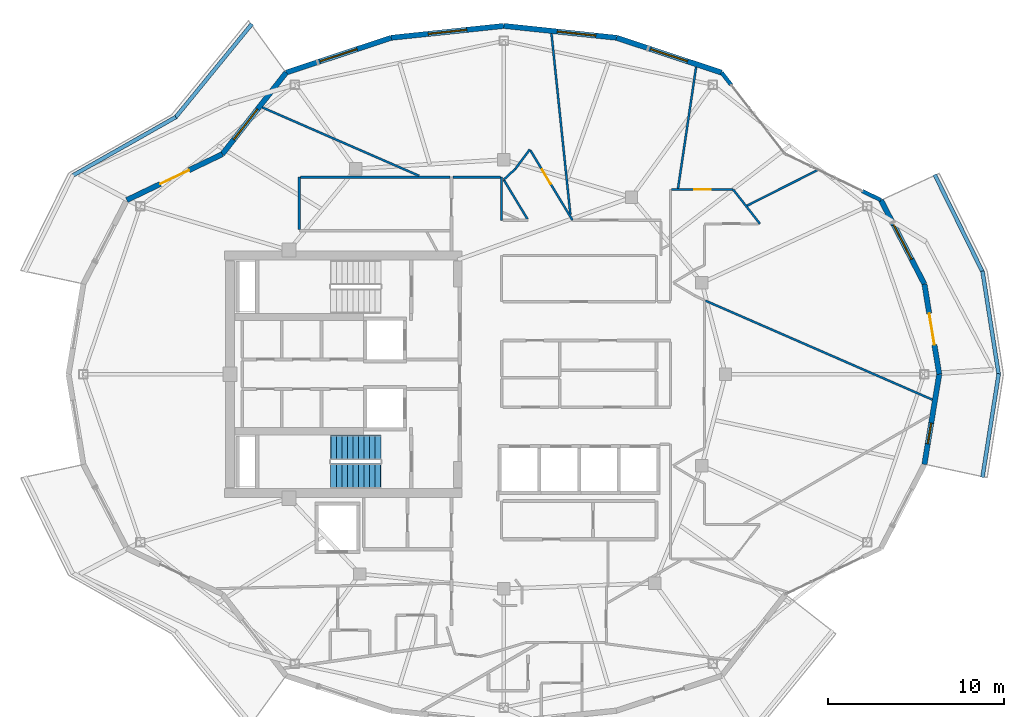
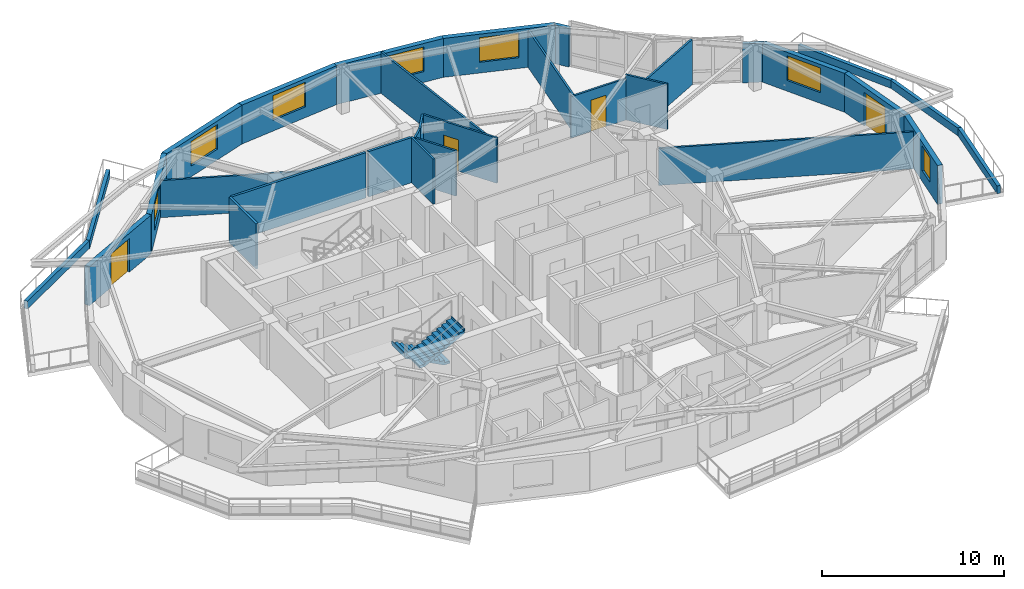
# One storey, part 10 of 14: 31 walls, 7 windows, 4 doors, 2 stair flights, 11 openings, 1 element without a shape of its own.
"""IFC4 building model written with IfcOpenShell, lengths in metres."""

from ifc_helpers import new_model, si_unit, direction, frame, frame_2d, origin, place, context, subcontext, project, spatial, polyline, rectangle, outline, extrude, material, layer, layer_set, type_object, element, fill, aggregate, save


model = new_model("IFC4")

# Units and contexts
model_context = context("Model", 3, precision=1e-05, world=origin(), true_north=direction((0.0, 1.0)))
body_context = subcontext(model_context, "Body", "Model", "MODEL_VIEW")
ifc_project = project(units=[si_unit("LENGTHUNIT", "METRE"), si_unit("AREAUNIT", "SQUARE_METRE"), si_unit("VOLUMEUNIT", "CUBIC_METRE"), si_unit("PLANEANGLEUNIT", "RADIAN"), si_unit("MASSUNIT", "GRAM", prefix="KILO")], contexts=[model_context])

# Site, building, storey
site_placement = place(None, origin())
site = spatial("IfcSite", under=ifc_project, at=site_placement, CompositionType="ELEMENT")
building_placement = place(site_placement, origin())
building = spatial("IfcBuilding", under=site, at=building_placement, Name="Kolvaren Gate Tower and Convention Centre", CompositionType="ELEMENT")
storey_placement = place(building_placement, frame((0.0, 0.0, 232.699951171875)))
storey = spatial("IfcBuildingStorey", under=building, at=storey_placement, Name="L62", CompositionType="ELEMENT", Elevation=232.699951171875)

# Walls
ifc_material_1 = material(Name="Fire-Rated Acoustic Gypsum Stud Partition", Category="gypsum")
ifc_layer_1 = layer(ifc_material_1, 0.1201171875)
ifc_layer_set_1 = layer_set([ifc_layer_1], Name="Fire-Rated Acoustic Gypsum Stud Partition")
wall_type_1 = type_object("IfcWallType", Name="ARCH-WL-PART-120", PredefinedType="PARTITIONING", material=ifc_layer_set_1)
wall_1_placement = place(storey_placement, frame((30.0, 35.75, 0.0), z_axis=(0.0, 0.0, 1.0), x_axis=(0.0, 1.0, 0.0)))
element("IfcWall", 1, at=wall_1_placement, inside=storey, type_object=wall_type_1, Name="Interior Partition WL-L62-INT-020", PredefinedType="PARTITIONING", context=body_context, shape_type="SweptSolid", body=[
    extrude(rectangle(XDim=2.449951171875, YDim=0.1201171875, at=frame_2d((1.22509765625, 0.0))), origin(), (0.0, 0.0, 1.0), 3.030029296875),
])
wall_2_placement = place(storey_placement, frame((30.114990234375, 38.05908203125, 0.0), z_axis=(0.0, 0.0, 1.0), x_axis=(0.516246227887, -0.85644020935, 0.0)))
element("IfcWall", 2, at=wall_2_placement, inside=storey, type_object=wall_type_1, Name="Interior Partition WL-L62-INT-038", PredefinedType="PARTITIONING", context=body_context, shape_type="SweptSolid", body=[
    extrude(rectangle(XDim=2.623779296875, YDim=0.1201171875, at=frame_2d((1.31201171875, 0.0))), origin(), (0.0, 0.0, 1.0), 3.030029296875),
])
wall_3_placement = place(storey_placement, frame((30.114990234375, 38.05908203125, 0.0), z_axis=(0.0, 0.0, 1.0), x_axis=(0.734991343239, 0.678076489316, 0.0)))
element("IfcWall", 3, at=wall_3_placement, inside=storey, type_object=wall_type_1, Name="Interior Partition WL-L62-INT-039", PredefinedType="PARTITIONING", context=body_context, shape_type="SweptSolid", body=[
    extrude(rectangle(XDim=0.896484375, YDim=0.1201171875, at=frame_2d((0.4482421875, 0.0))), origin(), (0.0, 0.0, 1.0), 3.030029296875),
])
wall_4_placement = place(storey_placement, frame((30.77392578125, 38.6669921875, 0.0), z_axis=(0.0, 0.0, 1.0), x_axis=(0.596019138224, 0.802970227885, 0.0)))
element("IfcWall", 4, at=wall_4_placement, inside=storey, type_object=wall_type_1, Name="Interior Partition WL-L62-INT-040", PredefinedType="PARTITIONING", context=body_context, shape_type="SweptSolid", body=[
    extrude(rectangle(XDim=1.38623046875, YDim=0.1201171875, at=frame_2d((0.693115234375, 0.0))), origin(), (0.0, 0.0, 1.0), 3.030029296875),
])

# Wall, opening, door
wall_5_placement = place(storey_placement, frame((31.634521484375, 39.72265625, 0.0), z_axis=(0.0, 0.0, 1.0), x_axis=(0.516340331217, -0.856383478565, 0.0)))
wall_5 = element("IfcWall", 5, at=wall_5_placement, inside=storey, type_object=wall_type_1, Name="Interior Partition WL-L62-INT-041", PredefinedType="PARTITIONING", context=body_context, shape_type="SweptSolid", body=[
    extrude(rectangle(XDim=4.62939453125, YDim=0.1201171875, at=frame_2d((2.314697265625, 0.0))), origin(), (0.0, 0.0, 1.0), 3.030029296875),
])
opening_1_placement = place(wall_5_placement, frame((1.27978515625, 0.0, 0.0)))
opening_1 = element("IfcOpeningElement", 6, at=opening_1_placement, cuts=wall_5, Name="Opening DR-01", PredefinedType="OPENING", context=body_context, shape_type="SweptSolid", body=[
    extrude(rectangle(XDim=0.949951171875, YDim=2.10009765625, at=frame_2d((0.47509765625, 1.050048828125))), frame((0.0, 0.070068359375, 0.0), z_axis=(0.0, -1.0, 0.0), x_axis=(1.0, 0.0, 0.0)), (0.0, 0.0, 1.0), 0.14013671875),
])
ifc_material_2 = material(Name="Painted Architectural Steelwork ASTM A500 Grade C 345 MPa", Category="steel")
door_type_1 = type_object("IfcDoorType", Name="ARCH-DR-RISER-950", OperationType="SINGLE_SWING_RIGHT", PredefinedType="DOOR", material=ifc_material_2)
door_1_placement = place(opening_1_placement, origin())
door_1 = element("IfcDoor", 7, at=door_1_placement, inside=storey, type_object=door_type_1, Name="Resident Private Study and Home Office Door", OperationType="SINGLE_SWING_LEFT", OverallHeight=2.10009765625, OverallWidth=0.949951171875, PredefinedType="DOOR", context=body_context, shape_type="SweptSolid", body=[
    extrude(rectangle(XDim=0.949951171875, YDim=2.10009765625, at=frame_2d((0.47509765625, 1.050048828125))), frame((0.0, 0.02490234375, 0.0), z_axis=(0.0, -1.0, 0.0), x_axis=(1.0, 0.0, 0.0)), (0.0, 0.0, 1.0), 0.050048828125),
])
fill(opening_1, door_1)

wall_6_placement = place(storey_placement, frame((39.662109375, 37.5, 0.0), z_axis=(0.0, 0.0, 1.0), x_axis=(1.0, 0.0, 0.0)))
wall_6 = element("IfcWall", 8, at=wall_6_placement, inside=storey, type_object=wall_type_1, Name="Interior Partition WL-L62-INT-046", PredefinedType="PARTITIONING", context=body_context, shape_type="SweptSolid", body=[
    extrude(rectangle(XDim=3.494873046875, YDim=0.1201171875, at=frame_2d((1.74755859375, 0.0))), origin(), (0.0, 0.0, 1.0), 2.77001953125),
])
opening_2_placement = place(wall_6_placement, frame((1.2724609375, 0.0, 0.0)))
opening_2 = element("IfcOpeningElement", 9, at=opening_2_placement, cuts=wall_6, Name="Opening DR-01", PredefinedType="OPENING", context=body_context, shape_type="SweptSolid", body=[
    extrude(rectangle(XDim=0.949951171875, YDim=2.10009765625, at=frame_2d((0.47509765625, 1.050048828125))), frame((0.0, 0.070068359375, 0.0), z_axis=(0.0, -1.0, 0.0), x_axis=(1.0, 0.0, 0.0)), (0.0, 0.0, 1.0), 0.14013671875),
])
door_2_placement = place(opening_2_placement, origin())
door_2 = element("IfcDoor", 10, at=door_2_placement, inside=storey, type_object=door_type_1, Name="Resident Reading Study Door", OperationType="SINGLE_SWING_LEFT", OverallHeight=2.10009765625, OverallWidth=0.949951171875, PredefinedType="DOOR", context=body_context, shape_type="SweptSolid", body=[
    extrude(rectangle(XDim=0.949951171875, YDim=2.10009765625, at=frame_2d((0.47509765625, 1.050048828125))), frame((0.0, 0.02490234375, 0.0), z_axis=(0.0, -1.0, 0.0), x_axis=(1.0, 0.0, 0.0)), (0.0, 0.0, 1.0), 0.050048828125),
])
fill(opening_2, door_2)

# Walls
wall_7_placement = place(storey_placement, frame((43.156982421875, 37.5, 0.0), z_axis=(0.0, 0.0, 1.0), x_axis=(0.616571357052, -0.78729902938, 0.0)))
element("IfcWall", 11, at=wall_7_placement, inside=storey, type_object=wall_type_1, Name="Interior Partition WL-L62-INT-047", PredefinedType="PARTITIONING", context=body_context, shape_type="SweptSolid", body=[
    extrude(rectangle(XDim=2.476806640625, YDim=0.1201171875, at=frame_2d((1.23828125, 0.0))), origin(), (0.0, 0.0, 1.0), 3.030029296875),
])
wall_8_placement = place(storey_placement, frame((16.391845703125, 42.165771484375, 0.0), z_axis=(0.0, 0.0, 1.0), x_axis=(0.916624998673, -0.399748185496, 0.0)))
element("IfcWall", 12, at=wall_8_placement, inside=storey, type_object=wall_type_1, Name="Interior Partition WL-L62-INT-095", PredefinedType="PARTITIONING", context=body_context, shape_type="SweptSolid", body=[
    extrude(rectangle(XDim=9.727783203125, YDim=0.1201171875, at=frame_2d((4.86376953125, 0.0))), origin(), (0.0, 0.0, 1.0), 2.47802734375),
])
wall_9_placement = place(storey_placement, frame((41.58203125, 31.179931640625, 0.0), z_axis=(0.0, 0.0, 1.0), x_axis=(0.916624100851, -0.399750244202, 0.0)))
element("IfcWall", 13, at=wall_9_placement, inside=storey, type_object=wall_type_1, Name="Interior Partition WL-L62-INT-097", PredefinedType="PARTITIONING", context=body_context, shape_type="SweptSolid", body=[
    extrude(rectangle(XDim=14.07421875, YDim=0.1201171875, at=frame_2d((7.037109375, 0.0))), origin(), (0.0, 0.0, 1.0), 2.47802734375),
])
wall_10_placement = place(storey_placement, frame((43.9541015625, 36.58251953125, 0.0), z_axis=(0.0, 0.0, 1.0), x_axis=(0.892601830049, 0.450845841716, 0.0)))
element("IfcWall", 14, at=wall_10_placement, inside=storey, type_object=wall_type_1, Name="Interior Partition WL-L62-INT-099", PredefinedType="PARTITIONING", context=body_context, shape_type="SweptSolid", body=[
    extrude(rectangle(XDim=4.4853515625, YDim=0.1201171875, at=frame_2d((2.24267578125, 0.0))), origin(), (0.0, 0.0, 1.0), 3.030029296875),
])
wall_11_placement = place(storey_placement, frame((40.026123046875, 37.56201171875, 0.0), z_axis=(0.0, 0.0, 1.0), x_axis=(0.147138038827, 0.989115967685, 0.0)))
element("IfcWall", 15, at=wall_11_placement, inside=storey, type_object=wall_type_1, Name="Interior Partition WL-L62-INT-100", PredefinedType="PARTITIONING", context=body_context, shape_type="SweptSolid", body=[
    extrude(rectangle(XDim=6.98046875, YDim=0.1201171875, at=frame_2d((3.490234375, 0.0))), origin(), (0.0, 0.0, 1.0), 2.47802734375),
])
wall_12_placement = place(storey_placement, frame((32.83154296875, 46.362060546875, 0.0), z_axis=(0.0, 0.0, 1.0), x_axis=(0.103942686354, -0.994583288595, 0.0)))
element("IfcWall", 16, at=wall_12_placement, inside=storey, type_object=wall_type_1, Name="Interior Partition WL-L62-INT-101", PredefinedType="PARTITIONING", context=body_context, shape_type="SweptSolid", body=[
    extrude(rectangle(XDim=10.34423828125, YDim=0.1201171875, at=frame_2d((5.172119140625, 0.0))), origin(), (0.0, 0.0, 1.0), 2.77001953125),
])
ifc_material_3 = material(Name="Bogota Sabana Bush-Hammered Sandstone Cladding", Category="masonry")
ifc_layer_2 = layer(ifc_material_3, 0.219970703125)
ifc_layer_set_2 = layer_set([ifc_layer_2], Name="Bogota Sabana Bush-Hammered Sandstone Cladding")
wall_type_2 = type_object("IfcWallType", Name="ARCH-WL-PIER-220", PredefinedType="SOLIDWALL", material=ifc_layer_set_2)
wall_13_placement = place(storey_placement, frame((50.494140625, 37.41162109375, 0.0), z_axis=(0.0, 0.0, 1.0), x_axis=(0.901342408365, -0.433107218692, 0.0)))
element("IfcWall", 17, at=wall_13_placement, inside=storey, type_object=wall_type_2, Name="Tower L62 Unitised Curtain Wall CW-RES-UNIT Bay 02 Right Column Pier Wrap", PredefinedType="SOLIDWALL", context=body_context, shape_type="SweptSolid", body=[
    extrude(rectangle(XDim=1.181396484375, YDim=0.219970703125, at=frame_2d((0.5908203125, 0.0))), origin(), (0.0, 0.0, 1.0), 2.60498046875),
])
wall_14_placement = place(storey_placement, frame((42.5, 44.147216796875, 0.0), z_axis=(0.0, 0.0, 1.0), x_axis=(0.61650363284, -0.787352062736, 0.0)))
element("IfcWall", 18, at=wall_14_placement, inside=storey, type_object=wall_type_2, Name="Tower L62 Unitised Curtain Wall CW-RES-UNIT Bay 03 Left Column Pier Wrap", PredefinedType="SOLIDWALL", context=body_context, shape_type="SweptSolid", body=[
    extrude(rectangle(XDim=0.8759765625, YDim=0.219970703125, at=frame_2d((0.43798828125, 0.0))), origin(), (0.0, 0.0, 1.0), 2.60498046875),
])
ifc_material_4 = material(Name="Piedmont Cream Honed Limestone Cladding", Category="masonry")
ifc_layer_3 = layer(ifc_material_4, 0.219970703125)
ifc_layer_set_3 = layer_set([ifc_layer_3], Name="Piedmont Cream Honed Limestone Cladding")
wall_type_3 = type_object("IfcWallType", Name="ARCH-WL-PLANTER-220", PredefinedType="PARAPET", material=ifc_layer_set_3)
wall_15_placement = place(storey_placement, frame((11.42724609375, 41.55859375, 0.0), z_axis=(0.0, 0.0, 1.0), x_axis=(0.632697312147, 0.774399193699, 0.0)))
element("IfcWall", 19, at=wall_15_placement, inside=storey, type_object=wall_type_3, Name="Vertical-Forest Balcony Stone Planter Kerb PK-L62-1.1", PredefinedType="PARAPET", context=body_context, shape_type="SweptSolid", body=[
    extrude(rectangle(XDim=6.9140625, YDim=0.219970703125, at=frame_2d((3.45703125, 0.0))), origin(), (0.0, 0.0, 1.0), 0.52001953125),
])
wall_16_placement = place(storey_placement, frame((5.6083984375, 38.29052734375, 0.0), z_axis=(0.0, 0.0, 1.0), x_axis=(0.869860619267, 0.493297580623, 0.0)))
element("IfcWall", 20, at=wall_16_placement, inside=storey, type_object=wall_type_3, Name="Vertical-Forest Balcony Stone Planter Kerb PK-L62-1.2", PredefinedType="PARAPET", context=body_context, shape_type="SweptSolid", body=[
    extrude(rectangle(XDim=6.74267578125, YDim=0.219970703125, at=frame_2d((3.371337890625, 0.0))), origin(), (0.0, 0.0, 1.0), 0.52001953125),
])
for number, where, z_axis, x_axis, name in (
    (21, (57.331787109375, 21.1376953125, 0.0), (0.0, 0.0, 1.0), (0.1550711793, 0.987903299595, 0.0), "Vertical-Forest Balcony Stone Planter Kerb PK-L62-4.1"),
    (22, (57.331787109375, 32.8623046875, 0.0), (0.0, 0.0, 1.0), (0.1550711793, -0.987903299595, 0.0), "Vertical-Forest Balcony Stone Planter Kerb PK-L62-4.2"),
):
    element("IfcWall", number, at=place(storey_placement, frame(where, z_axis=z_axis, x_axis=x_axis)), inside=storey, type_object=wall_type_3, Name=name, PredefinedType="PARAPET", context=body_context, shape_type="SweptSolid", body=[
        extrude(rectangle(XDim=5.963623046875, YDim=0.219970703125, at=frame_2d((2.98193359375, 0.0))), origin(), (0.0, 0.0, 1.0), 0.52001953125),
    ])
wall_17_placement = place(storey_placement, frame((54.615966796875, 38.3466796875, 0.0), z_axis=(0.0, 0.0, 1.0), x_axis=(0.441640961804, -0.897191875162, 0.0)))
element("IfcWall", 23, at=wall_17_placement, inside=storey, type_object=wall_type_3, Name="Vertical-Forest Balcony Stone Planter Kerb PK-L62-4.3", PredefinedType="PARAPET", context=body_context, shape_type="SweptSolid", body=[
    extrude(rectangle(XDim=6.17822265625, YDim=0.219970703125, at=frame_2d((3.089111328125, 0.0))), origin(), (0.0, 0.0, 1.0), 0.52001953125),
])

# Wall, opening, door
ifc_layer_4 = layer(ifc_material_4, 0.300048828125)
ifc_layer_set_4 = layer_set([ifc_layer_4], Name="Piedmont Cream Honed Limestone Cladding")
wall_type_4 = type_object("IfcWallType", Name="ARCH-WL-STONE-300", PredefinedType="SOLIDWALL", material=ifc_layer_set_4)
wall_18_placement = place(storey_placement, frame((54.03173828125, 32.12451171875, 0.0), z_axis=(0.0, 0.0, 1.0), x_axis=(0.16237087798, -0.986729799886, 0.0)))
wall_18 = element("IfcWall", 24, at=wall_18_placement, inside=storey, type_object=wall_type_4, Name="Tower L62 Honed Stone Spandrel Wall EW-00", PredefinedType="SOLIDWALL", context=body_context, shape_type="SweptSolid", body=[
    extrude(rectangle(XDim=5.193359375, YDim=0.300048828125, at=frame_2d((2.5966796875, 0.0))), origin(), (0.0, 0.0, 1.0), 2.60498046875),
])
opening_3_placement = place(wall_18_placement, frame((1.697021484375, 0.0, 0.0)))
opening_3 = element("IfcOpeningElement", 25, at=opening_3_placement, cuts=wall_18, Name="Opening DB-01", PredefinedType="OPENING", context=body_context, shape_type="SweptSolid", body=[
    extrude(rectangle(XDim=1.800048828125, YDim=2.25, at=frame_2d((0.89990234375, 1.125))), frame((0.0, 0.159912109375, 0.0), z_axis=(0.0, -1.0, 0.0), x_axis=(1.0, 0.0, 0.0)), (0.0, 0.0, 1.0), 0.320068359375),
])
ifc_material_5 = material(Name="Anodized Architectural Aluminium Alloy 6063-T6", Category="aluminium")
door_type_2 = type_object("IfcDoorType", Name="ARCH-DR-BALC-1800", OperationType="SLIDING_TO_LEFT", PredefinedType="DOOR", material=ifc_material_5)
door_3_placement = place(opening_3_placement, origin())
door_3 = element("IfcDoor", 26, at=door_3_placement, inside=storey, type_object=door_type_2, Name="Planted Sky Terrace Access Door DB-L62-00", OperationType="SLIDING_TO_LEFT", OverallHeight=2.25, OverallWidth=1.800048828125, PredefinedType="DOOR", context=body_context, shape_type="SweptSolid", body=[
    extrude(rectangle(XDim=1.800048828125, YDim=2.25, at=frame_2d((0.89990234375, 1.125))), frame((0.0, 0.02490234375, 0.0), z_axis=(0.0, -1.0, 0.0), x_axis=(1.0, 0.0, 0.0)), (0.0, 0.0, 1.0), 0.050048828125),
])
fill(opening_3, door_3)

# Wall, opening, window
wall_19_placement = place(storey_placement, frame((51.55908203125, 36.89990234375, 0.0), z_axis=(0.0, 0.0, 1.0), x_axis=(0.459808219482, -0.888018243786, 0.0)))
wall_19 = element("IfcWall", 27, at=wall_19_placement, inside=storey, type_object=wall_type_4, Name="Tower L62 Honed Stone Spandrel Wall EW-01", PredefinedType="SOLIDWALL", context=body_context, shape_type="SweptSolid", body=[
    extrude(rectangle(XDim=5.377685546875, YDim=0.300048828125, at=frame_2d((2.68896484375, 0.0))), origin(), (0.0, 0.0, 1.0), 2.60498046875),
])
opening_4_placement = place(wall_19_placement, frame((1.589111328125, 0.0, 0.719970703125)))
opening_4 = element("IfcOpeningElement", 28, at=opening_4_placement, cuts=wall_19, Name="Opening W-03", PredefinedType="OPENING", context=body_context, shape_type="SweptSolid", body=[
    extrude(rectangle(XDim=2.199951171875, YDim=1.64990234375, at=frame_2d((1.10009765625, 0.824951171875))), frame((0.0, 0.159912109375, 0.0), z_axis=(0.0, -1.0, 0.0), x_axis=(1.0, 0.0, 0.0)), (0.0, 0.0, 1.0), 0.320068359375),
])
ifc_material_6 = material(Name="Low-E Triple Insulated Glazing Unit 44 mm", Category="glass")
window_type_1 = type_object("IfcWindowType", Name="ARCH-WN-RES-2200", PartitioningType="SINGLE_PANEL", PredefinedType="WINDOW", material=ifc_material_6)
window_1_placement = place(opening_4_placement, origin())
window_1 = element("IfcWindow", 29, at=window_1_placement, inside=storey, type_object=window_type_1, Name="Tower L62 Punched Stone Facade Window W-01", OverallHeight=1.64990234375, OverallWidth=2.199951171875, PartitioningType="SINGLE_PANEL", PredefinedType="WINDOW", context=body_context, shape_type="SweptSolid", body=[
    extrude(rectangle(XDim=2.199951171875, YDim=1.64990234375, at=frame_2d((1.10009765625, 0.824951171875))), frame((0.0, 0.030029296875, 0.0), z_axis=(0.0, -1.0, 0.0), x_axis=(1.0, 0.0, 0.0)), (0.0, 0.0, 1.0), 0.06005859375),
])
fill(opening_4, window_1)

wall_20_placement = place(storey_placement, frame((36.53076171875, 46.125244140625, 0.0), z_axis=(0.0, 0.0, 1.0), x_axis=(0.949240877604, -0.314550085495, 0.0)))
wall_20 = element("IfcWall", 30, at=wall_20_placement, inside=storey, type_object=wall_type_4, Name="Tower L62 Honed Stone Spandrel Wall EW-04", PredefinedType="SOLIDWALL", context=body_context, shape_type="SweptSolid", body=[
    extrude(rectangle(XDim=6.288330078125, YDim=0.300048828125, at=frame_2d((3.14404296875, 0.0))), origin(), (0.0, 0.0, 1.0), 2.60498046875),
])
opening_5_placement = place(wall_20_placement, frame((2.0439453125, 0.0, 0.719970703125)))
opening_5 = element("IfcOpeningElement", 31, at=opening_5_placement, cuts=wall_20, Name="Opening W-03", PredefinedType="OPENING", context=body_context, shape_type="SweptSolid", body=[
    extrude(rectangle(XDim=2.199951171875, YDim=1.64990234375, at=frame_2d((1.10009765625, 0.824951171875))), frame((0.0, 0.159912109375, 0.0), z_axis=(0.0, -1.0, 0.0), x_axis=(1.0, 0.0, 0.0)), (0.0, 0.0, 1.0), 0.320068359375),
])
window_2_placement = place(opening_5_placement, origin())
window_2 = element("IfcWindow", 32, at=window_2_placement, inside=storey, type_object=window_type_1, Name="Tower L62 Punched Stone Facade Window W-04", OverallHeight=1.64990234375, OverallWidth=2.199951171875, PartitioningType="SINGLE_PANEL", PredefinedType="WINDOW", context=body_context, shape_type="SweptSolid", body=[
    extrude(rectangle(XDim=2.199951171875, YDim=1.64990234375, at=frame_2d((1.10009765625, 0.824951171875))), frame((0.0, 0.030029296875, 0.0), z_axis=(0.0, -1.0, 0.0), x_axis=(1.0, 0.0, 0.0)), (0.0, 0.0, 1.0), 0.06005859375),
])
fill(opening_5, window_2)

wall_21_placement = place(storey_placement, frame((30.125, 46.800048828125, 0.0), z_axis=(0.0, 0.0, 1.0), x_axis=(0.994497142298, -0.104763705363, 0.0)))
wall_21 = element("IfcWall", 33, at=wall_21_placement, inside=storey, type_object=wall_type_4, Name="Tower L62 Honed Stone Spandrel Wall EW-05", PredefinedType="SOLIDWALL", context=body_context, shape_type="SweptSolid", body=[
    extrude(rectangle(XDim=6.441162109375, YDim=0.300048828125, at=frame_2d((3.220703125, 0.0))), origin(), (0.0, 0.0, 1.0), 2.60498046875),
])
opening_6_placement = place(wall_21_placement, frame((3.050048828125, 0.0, 0.719970703125)))
opening_6 = element("IfcOpeningElement", 34, at=opening_6_placement, cuts=wall_21, Name="Opening W-03", PredefinedType="OPENING", context=body_context, shape_type="SweptSolid", body=[
    extrude(rectangle(XDim=2.199951171875, YDim=1.64990234375, at=frame_2d((1.10009765625, 0.824951171875))), frame((0.0, 0.159912109375, 0.0), z_axis=(0.0, -1.0, 0.0), x_axis=(1.0, 0.0, 0.0)), (0.0, 0.0, 1.0), 0.320068359375),
])
window_3_placement = place(opening_6_placement, origin())
window_3 = element("IfcWindow", 35, at=window_3_placement, inside=storey, type_object=window_type_1, Name="Tower L62 Punched Stone Facade Window W-05", OverallHeight=1.64990234375, OverallWidth=2.199951171875, PartitioningType="SINGLE_PANEL", PredefinedType="WINDOW", context=body_context, shape_type="SweptSolid", body=[
    extrude(rectangle(XDim=2.199951171875, YDim=1.64990234375, at=frame_2d((1.10009765625, 0.824951171875))), frame((0.0, 0.030029296875, 0.0), z_axis=(0.0, -1.0, 0.0), x_axis=(1.0, 0.0, 0.0)), (0.0, 0.0, 1.0), 0.06005859375),
])
fill(opening_6, window_3)

wall_22_placement = place(storey_placement, frame((23.71923828125, 46.125244140625, 0.0), z_axis=(0.0, 0.0, 1.0), x_axis=(0.994497142298, 0.104763705363, 0.0)))
wall_22 = element("IfcWall", 36, at=wall_22_placement, inside=storey, type_object=wall_type_4, Name="Tower L62 Honed Stone Spandrel Wall EW-06", PredefinedType="SOLIDWALL", context=body_context, shape_type="SweptSolid", body=[
    extrude(rectangle(XDim=6.441162109375, YDim=0.300048828125, at=frame_2d((3.220703125, 0.0))), origin(), (0.0, 0.0, 1.0), 2.60498046875),
])
opening_7_placement = place(wall_22_placement, frame((2.12109375, 0.0, 0.719970703125)))
opening_7 = element("IfcOpeningElement", 37, at=opening_7_placement, cuts=wall_22, Name="Opening W-03", PredefinedType="OPENING", context=body_context, shape_type="SweptSolid", body=[
    extrude(rectangle(XDim=2.199951171875, YDim=1.64990234375, at=frame_2d((1.10009765625, 0.824951171875))), frame((0.0, 0.159912109375, 0.0), z_axis=(0.0, -1.0, 0.0), x_axis=(1.0, 0.0, 0.0)), (0.0, 0.0, 1.0), 0.320068359375),
])
window_4_placement = place(opening_7_placement, origin())
window_4 = element("IfcWindow", 38, at=window_4_placement, inside=storey, type_object=window_type_1, Name="Tower L62 Punched Stone Facade Window W-06", OverallHeight=1.64990234375, OverallWidth=2.199951171875, PartitioningType="SINGLE_PANEL", PredefinedType="WINDOW", context=body_context, shape_type="SweptSolid", body=[
    extrude(rectangle(XDim=2.199951171875, YDim=1.64990234375, at=frame_2d((1.10009765625, 0.824951171875))), frame((0.0, 0.030029296875, 0.0), z_axis=(0.0, -1.0, 0.0), x_axis=(1.0, 0.0, 0.0)), (0.0, 0.0, 1.0), 0.06005859375),
])
fill(opening_7, window_4)

wall_23_placement = place(storey_placement, frame((17.75, 44.147216796875, 0.0), z_axis=(0.0, 0.0, 1.0), x_axis=(0.949240877604, 0.314550085495, 0.0)))
wall_23 = element("IfcWall", 39, at=wall_23_placement, inside=storey, type_object=wall_type_4, Name="Tower L62 Honed Stone Spandrel Wall EW-07", PredefinedType="SOLIDWALL", context=body_context, shape_type="SweptSolid", body=[
    extrude(rectangle(XDim=6.288330078125, YDim=0.300048828125, at=frame_2d((3.14404296875, 0.0))), origin(), (0.0, 0.0, 1.0), 2.60498046875),
])
opening_8_placement = place(wall_23_placement, frame((2.0439453125, 0.0, 0.719970703125)))
opening_8 = element("IfcOpeningElement", 40, at=opening_8_placement, cuts=wall_23, Name="Opening W-03", PredefinedType="OPENING", context=body_context, shape_type="SweptSolid", body=[
    extrude(rectangle(XDim=2.199951171875, YDim=1.64990234375, at=frame_2d((1.10009765625, 0.824951171875))), frame((0.0, 0.159912109375, 0.0), z_axis=(0.0, -1.0, 0.0), x_axis=(1.0, 0.0, 0.0)), (0.0, 0.0, 1.0), 0.320068359375),
])
window_5_placement = place(opening_8_placement, origin())
window_5 = element("IfcWindow", 41, at=window_5_placement, inside=storey, type_object=window_type_1, Name="Tower L62 Punched Stone Facade Window W-07", OverallHeight=1.64990234375, OverallWidth=2.199951171875, PartitioningType="SINGLE_PANEL", PredefinedType="WINDOW", context=body_context, shape_type="SweptSolid", body=[
    extrude(rectangle(XDim=2.199951171875, YDim=1.64990234375, at=frame_2d((1.10009765625, 0.824951171875))), frame((0.0, 0.030029296875, 0.0), z_axis=(0.0, -1.0, 0.0), x_axis=(1.0, 0.0, 0.0)), (0.0, 0.0, 1.0), 0.06005859375),
])
fill(opening_8, window_5)

wall_24_placement = place(storey_placement, frame((14.117431640625, 39.50732421875, 0.0), z_axis=(0.0, 0.0, 1.0), x_axis=(0.616450126935, 0.787393955401, 0.0)))
wall_24 = element("IfcWall", 42, at=wall_24_placement, inside=storey, type_object=wall_type_4, Name="Tower L62 Honed Stone Spandrel Wall EW-08", PredefinedType="SOLIDWALL", context=body_context, shape_type="SweptSolid", body=[
    extrude(rectangle(XDim=5.892822265625, YDim=0.300048828125, at=frame_2d((2.9462890625, 0.0))), origin(), (0.0, 0.0, 1.0), 2.60498046875),
])
opening_9_placement = place(wall_24_placement, frame((1.050048828125, 0.0, 0.719970703125)))
opening_9 = element("IfcOpeningElement", 43, at=opening_9_placement, cuts=wall_24, Name="Opening W-03", PredefinedType="OPENING", context=body_context, shape_type="SweptSolid", body=[
    extrude(rectangle(XDim=2.199951171875, YDim=1.64990234375, at=frame_2d((1.10009765625, 0.824951171875))), frame((0.0, 0.159912109375, 0.0), z_axis=(0.0, -1.0, 0.0), x_axis=(1.0, 0.0, 0.0)), (0.0, 0.0, 1.0), 0.320068359375),
])
window_6_placement = place(opening_9_placement, origin())
window_6 = element("IfcWindow", 44, at=window_6_placement, inside=storey, type_object=window_type_1, Name="Tower L62 Punched Stone Facade Window W-08", OverallHeight=1.64990234375, OverallWidth=2.199951171875, PartitioningType="SINGLE_PANEL", PredefinedType="WINDOW", context=body_context, shape_type="SweptSolid", body=[
    extrude(rectangle(XDim=2.199951171875, YDim=1.64990234375, at=frame_2d((1.10009765625, 0.824951171875))), frame((0.0, 0.030029296875, 0.0), z_axis=(0.0, -1.0, 0.0), x_axis=(1.0, 0.0, 0.0)), (0.0, 0.0, 1.0), 0.06005859375),
])
fill(opening_9, window_6)

# Wall, opening, door
wall_25_placement = place(storey_placement, frame((8.69091796875, 36.89990234375, 0.0), z_axis=(0.0, 0.0, 1.0), x_axis=(0.901348331142, 0.433094892545, 0.0)))
wall_25 = element("IfcWall", 45, at=wall_25_placement, inside=storey, type_object=wall_type_4, Name="Tower L62 Honed Stone Spandrel Wall EW-09", PredefinedType="SOLIDWALL", context=body_context, shape_type="SweptSolid", body=[
    extrude(rectangle(XDim=6.0205078125, YDim=0.300048828125, at=frame_2d((3.01025390625, 0.0))), origin(), (0.0, 0.0, 1.0), 2.60498046875),
])
opening_10_placement = place(wall_25_placement, frame((2.110107421875, 0.0, 0.0)))
opening_10 = element("IfcOpeningElement", 46, at=opening_10_placement, cuts=wall_25, Name="Opening DB-01", PredefinedType="OPENING", context=body_context, shape_type="SweptSolid", body=[
    extrude(rectangle(XDim=1.800048828125, YDim=2.25, at=frame_2d((0.89990234375, 1.125))), frame((0.0, 0.159912109375, 0.0), z_axis=(0.0, -1.0, 0.0), x_axis=(1.0, 0.0, 0.0)), (0.0, 0.0, 1.0), 0.320068359375),
])
door_4_placement = place(opening_10_placement, origin())
door_4 = element("IfcDoor", 47, at=door_4_placement, inside=storey, type_object=door_type_2, Name="Planted Sky Terrace Access Door DB-L62-09", OperationType="SLIDING_TO_LEFT", OverallHeight=2.25, OverallWidth=1.800048828125, PredefinedType="DOOR", context=body_context, shape_type="SweptSolid", body=[
    extrude(rectangle(XDim=1.800048828125, YDim=2.25, at=frame_2d((0.89990234375, 1.125))), frame((0.0, 0.02490234375, 0.0), z_axis=(0.0, -1.0, 0.0), x_axis=(1.0, 0.0, 0.0)), (0.0, 0.0, 1.0), 0.050048828125),
])
fill(opening_10, door_4)

# Wall, opening, window
wall_26_placement = place(storey_placement, frame((54.03173828125, 21.87548828125, 0.0), z_axis=(0.0, 0.0, 1.0), x_axis=(0.16237087798, 0.986729799886, 0.0)))
wall_26 = element("IfcWall", 48, at=wall_26_placement, inside=storey, type_object=wall_type_4, Name="Tower L62 Honed Stone Spandrel Wall EW-23", PredefinedType="SOLIDWALL", context=body_context, shape_type="SweptSolid", body=[
    extrude(rectangle(XDim=5.193359375, YDim=0.300048828125, at=frame_2d((2.5966796875, 0.0))), origin(), (0.0, 0.0, 1.0), 2.60498046875),
])
opening_11_placement = place(wall_26_placement, frame((1.179931640625, 0.0, 0.719970703125)))
opening_11 = element("IfcOpeningElement", 49, at=opening_11_placement, cuts=wall_26, Name="Opening W-04", PredefinedType="OPENING", context=body_context, shape_type="SweptSolid", body=[
    extrude(rectangle(XDim=1.199951171875, YDim=1.64990234375, at=frame_2d((0.60009765625, 0.824951171875))), frame((0.0, 0.159912109375, 0.0), z_axis=(0.0, -1.0, 0.0), x_axis=(1.0, 0.0, 0.0)), (0.0, 0.0, 1.0), 0.320068359375),
])
window_type_2 = type_object("IfcWindowType", Name="ARCH-WN-NARROW-1200", PartitioningType="SINGLE_PANEL", PredefinedType="WINDOW", material=ifc_material_6)
window_7_placement = place(opening_11_placement, origin())
window_7 = element("IfcWindow", 50, at=window_7_placement, inside=storey, type_object=window_type_2, Name="Tower L62 Punched Stone Facade Window W-23", OverallHeight=1.64990234375, OverallWidth=1.199951171875, PartitioningType="SINGLE_PANEL", PredefinedType="WINDOW", context=body_context, shape_type="SweptSolid", body=[
    extrude(rectangle(XDim=1.199951171875, YDim=1.64990234375, at=frame_2d((0.60009765625, 0.824951171875))), frame((0.0, 0.030029296875, 0.0), z_axis=(0.0, -1.0, 0.0), x_axis=(1.0, 0.0, 0.0)), (0.0, 0.0, 1.0), 0.06005859375),
])
fill(opening_11, window_7)

# Walls
ifc_material_7 = material(Name="Moisture-Resistant Cement-Board Acoustic Partition", Category="gypsum")
ifc_layer_5 = layer(ifc_material_7, 0.14990234375)
ifc_layer_set_5 = layer_set([ifc_layer_5], Name="Moisture-Resistant Cement-Board Acoustic Partition")
wall_type_5 = type_object("IfcWallType", Name="ARCH-WL-WET-150", PredefinedType="PARTITIONING", material=ifc_layer_set_5)
wall_27_placement = place(storey_placement, frame((18.5, 35.237060546875, 0.0), z_axis=(0.0, 0.0, 1.0), x_axis=(0.0, 1.0, 0.0)))
element("IfcWall", 51, at=wall_27_placement, inside=storey, type_object=wall_type_5, Name="Interior Partition WL-L62-INT-034", PredefinedType="PARTITIONING", context=body_context, shape_type="SweptSolid", body=[
    extrude(rectangle(XDim=2.962890625, YDim=0.14990234375, at=frame_2d((1.4814453125, 0.0))), origin(), (0.0, 0.0, 1.0), 3.030029296875),
])
wall_28_placement = place(storey_placement, frame((18.576904296875, 38.199951171875, 0.0), z_axis=(0.0, 0.0, 1.0), x_axis=(1.0, 0.0, 0.0)))
element("IfcWall", 52, at=wall_28_placement, inside=storey, type_object=wall_type_5, Name="Interior Partition WL-L62-INT-035", PredefinedType="PARTITIONING", context=body_context, shape_type="SweptSolid", body=[
    extrude(rectangle(XDim=8.49609375, YDim=0.14990234375, at=frame_2d((4.248046875, 0.0))), origin(), (0.0, 0.0, 1.0), 3.030029296875),
])
wall_29_placement = place(storey_placement, frame((27.22705078125, 38.199951171875, 0.0), z_axis=(0.0, 0.0, 1.0), x_axis=(1.0, 0.0, 0.0)))
element("IfcWall", 53, at=wall_29_placement, inside=storey, type_object=wall_type_5, Name="Interior Partition WL-L62-INT-035 (2)", PredefinedType="PARTITIONING", context=body_context, shape_type="SweptSolid", body=[
    extrude(rectangle(XDim=2.7109375, YDim=0.14990234375, at=frame_2d((1.35546875, 0.0))), origin(), (0.0, 0.0, 1.0), 3.030029296875),
])

# Stair, stair flights
ifc_material_8 = material(Name="Concrete C50/60", Category="concrete")
stair_type = type_object("IfcStairType", Name="STR-STAIR-CORE", PredefinedType="HALF_TURN_STAIR", material=ifc_material_8)
stair_placement = place(storey_placement, origin())
stair = element("IfcStair", 54, at=stair_placement, inside=storey, type_object=stair_type, Name="L62 Tower South Exit Stair ST-T2", PredefinedType="HALF_TURN_STAIR")
stair_flight_type = type_object("IfcStairFlightType", Name="STR-SFL-1420", PredefinedType="STRAIGHT", material=ifc_material_8)
stair_flight_1_placement = place(storey_placement, frame((23.10009765625, 22.830078125, 0.0), z_axis=(0.0, 0.0, 1.0), x_axis=(-1.0, 0.0, 0.0)))
stair_flight_1 = element("IfcStairFlight", 55, at=stair_flight_1_placement, type_object=stair_flight_type, Name="ST-T2 flight 1", NumberOfRisers=10, NumberOfTreads=9, PredefinedType="STRAIGHT", RiserHeight=0.165, TreadLength=0.31, context=body_context, shape_type="SweptSolid", body=[
    extrude(outline(polyline([(-0.034912109375, 0.0), (-0.034912109375, 0.1650390625), (0.31005859375, 0.1650390625), (0.31005859375, 0.330078125), (0.6201171875, 0.330078125), (0.6201171875, 0.4951171875), (0.929931640625, 0.4951171875), (0.929931640625, 0.659912109375), (1.239990234375, 0.659912109375), (1.239990234375, 0.824951171875), (1.550048828125, 0.824951171875), (1.550048828125, 0.989990234375), (1.860107421875, 0.989990234375), (1.860107421875, 1.155029296875), (2.169921875, 1.155029296875), (2.169921875, 1.320068359375), (2.47998046875, 1.320068359375), (2.47998046875, 1.485107421875), (2.7900390625, 1.485107421875), (2.7900390625, 1.64990234375), (2.8349609375, 1.64990234375), (2.8349609375, 1.489990234375), (2.7900390625, 1.315185546875), (0.319091796875, 0.0), (-0.034912109375, 0.0)])), frame((0.0, 0.7099609375, 0.0), z_axis=(0.0, -1.0, 0.0), x_axis=(1.0, 0.0, 0.0)), (0.0, 0.0, 1.0), 1.419921875),
])
stair_flight_2_placement = place(storey_placement, frame((20.31005859375, 21.2099609375, 1.650146484375), z_axis=(0.0, 0.0, 1.0), x_axis=(1.0, 0.0, 0.0)))
stair_flight_2 = element("IfcStairFlight", 56, at=stair_flight_2_placement, type_object=stair_flight_type, Name="ST-T2 flight 2", NumberOfRisers=10, NumberOfTreads=9, PredefinedType="STRAIGHT", RiserHeight=0.165, TreadLength=0.31, context=body_context, shape_type="SweptSolid", body=[
    extrude(outline(polyline([(-0.034912109375, 0.0), (-0.034912109375, 0.1650390625), (0.31005859375, 0.1650390625), (0.31005859375, 0.330078125), (0.6201171875, 0.330078125), (0.6201171875, 0.4951171875), (0.929931640625, 0.4951171875), (0.929931640625, 0.659912109375), (1.239990234375, 0.659912109375), (1.239990234375, 0.824951171875), (1.550048828125, 0.824951171875), (1.550048828125, 0.989990234375), (1.860107421875, 0.989990234375), (1.860107421875, 1.155029296875), (2.169921875, 1.155029296875), (2.169921875, 1.320068359375), (2.47998046875, 1.320068359375), (2.47998046875, 1.485107421875), (2.7900390625, 1.485107421875), (2.7900390625, 1.64990234375), (2.8349609375, 1.64990234375), (2.8349609375, 1.489990234375), (2.7900390625, 1.315185546875), (0.319091796875, 0.0), (-0.034912109375, 0.0)])), frame((0.0, 0.7099609375, 0.0), z_axis=(0.0, -1.0, 0.0), x_axis=(1.0, 0.0, 0.0)), (0.0, 0.0, 1.0), 1.419921875),
])
aggregate(stair, [stair_flight_1, stair_flight_2])

save(model, "model.ifc")
